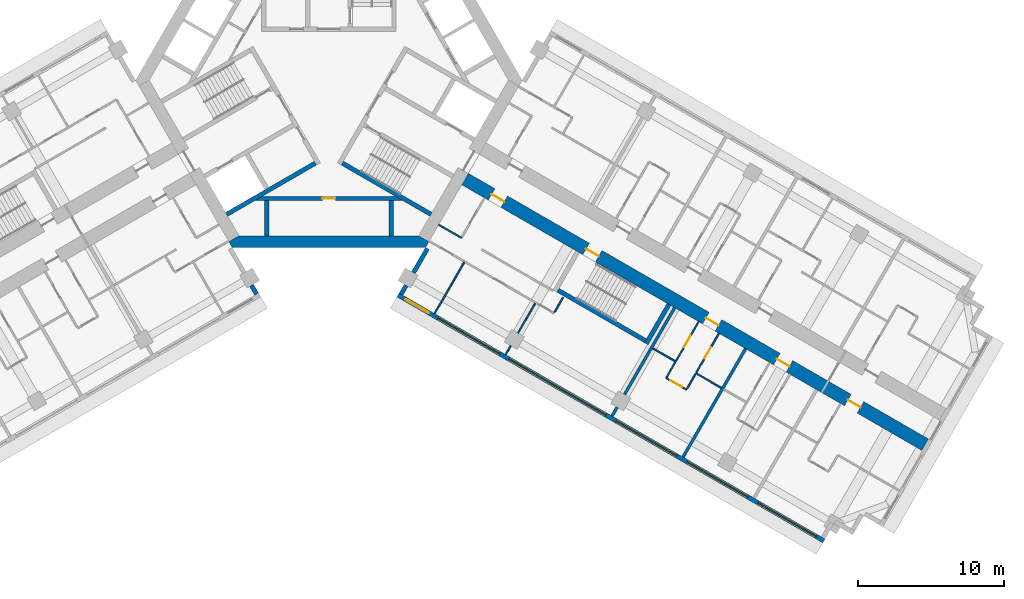
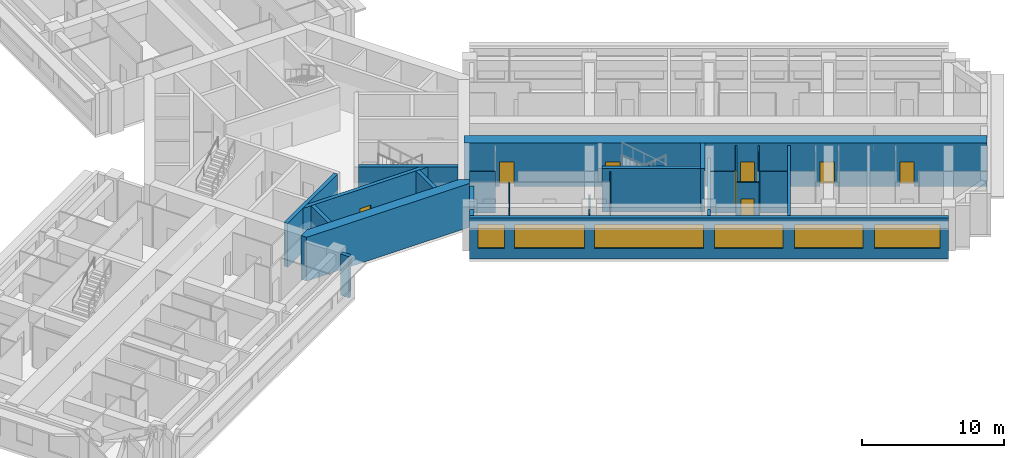
# One storey, part 5 of 13: 28 walls, 9 doors, 6 windows, 15 openings.
"""IFC4 building model written with IfcOpenShell, lengths in metres."""

from ifc_helpers import new_model, si_unit, direction, frame, frame_2d, origin, place, context, subcontext, project, spatial, polyline, rectangle, outline, extrude, material, layer, layer_set, type_object, element, fill, save


model = new_model("IFC4")

# Units and contexts
model_context = context("Model", 3, precision=1e-05, world=origin(), true_north=direction((0.0, 1.0)))
body_context = subcontext(model_context, "Body", "Model", "MODEL_VIEW")
ifc_project = project(units=[si_unit("LENGTHUNIT", "METRE"), si_unit("AREAUNIT", "SQUARE_METRE"), si_unit("VOLUMEUNIT", "CUBIC_METRE"), si_unit("PLANEANGLEUNIT", "RADIAN"), si_unit("MASSUNIT", "GRAM", prefix="KILO")], contexts=[model_context])

# Site, building, storey
site_placement = place(None, origin())
site = spatial("IfcSite", under=ifc_project, at=site_placement, CompositionType="ELEMENT")
building_placement = place(site_placement, origin())
building = spatial("IfcBuilding", under=site, at=building_placement, Name="Impinga Residences", CompositionType="ELEMENT")
storey_placement = place(building_placement, frame((0.0, 0.0, 136.0)))
storey = spatial("IfcBuildingStorey", under=building, at=storey_placement, Name="L33", CompositionType="ELEMENT", Elevation=136.0)

# Wall, openings, doors
ifc_material_1 = material(Name="Concrete C60/75", Category="concrete")
ifc_layer_1 = layer(ifc_material_1, 0.89990234375)
ifc_layer_set_1 = layer_set([ifc_layer_1], Name="Concrete C60/75")
wall_type_1 = type_object("IfcWallType", Name="BW2 corridor buttress wall, L24 to L44 900", PredefinedType="SHEAR", material=ifc_layer_set_1)
wall_1_placement = place(storey_placement, frame((8.95361328125, -6.554931640625, 0.0), z_axis=(0.0, 0.0, 1.0), x_axis=(0.866024733898, -0.500001160275, 0.0)))
wall_1 = element("IfcWall", 1, at=wall_1_placement, inside=storey, type_object=wall_type_1, Name="Corridor wall BW2 ED L33", PredefinedType="SHEAR", context=body_context, shape_type="SweptSolid", body=[
    extrude(rectangle(XDim=36.7001953125, YDim=0.89990234375, at=frame_2d((18.35009765625, 0.0))), origin(), (0.0, 0.0, 1.0), 3.75),
])
opening_1_placement = place(wall_1_placement, frame((9.949951171875, 0.0, 0.0)))
opening_1 = element("IfcOpeningElement", 2, at=opening_1_placement, cuts=wall_1, Name="Opening D5", PredefinedType="OPENING", context=body_context, shape_type="SweptSolid", body=[
    extrude(rectangle(XDim=1.0, YDim=2.10009765625, at=frame_2d((0.5, 1.050048828125))), frame((0.0, 0.4599609375, 0.0), z_axis=(0.0, -1.0, 0.0), x_axis=(1.0, 0.0, 0.0)), (0.0, 0.0, 1.0), 0.919921875),
])
opening_2_placement = place(wall_1_placement, frame((2.5, 0.0, 0.0)))
opening_2 = element("IfcOpeningElement", 3, at=opening_2_placement, cuts=wall_1, Name="Opening D1", PredefinedType="OPENING", context=body_context, shape_type="SweptSolid", body=[
    extrude(rectangle(XDim=1.0, YDim=2.10009765625, at=frame_2d((0.5, 1.050048828125))), frame((0.0, 0.4599609375, 0.0), z_axis=(0.0, -1.0, 0.0), x_axis=(1.0, 0.0, 0.0)), (0.0, 0.0, 1.0), 0.919921875),
])
opening_3_placement = place(wall_1_placement, frame((19.39990234375, 0.0, 0.0)))
opening_3 = element("IfcOpeningElement", 4, at=opening_3_placement, cuts=wall_1, Name="Opening D1", PredefinedType="OPENING", context=body_context, shape_type="SweptSolid", body=[
    extrude(rectangle(XDim=1.0, YDim=2.10009765625, at=frame_2d((0.5, 1.050048828125))), frame((0.0, 0.4599609375, 0.0), z_axis=(0.0, -1.0, 0.0), x_axis=(1.0, 0.0, 0.0)), (0.0, 0.0, 1.0), 0.919921875),
])
opening_4_placement = place(wall_1_placement, frame((25.0, 0.0, 0.0)))
opening_4 = element("IfcOpeningElement", 5, at=opening_4_placement, cuts=wall_1, Name="Opening D1", PredefinedType="OPENING", context=body_context, shape_type="SweptSolid", body=[
    extrude(rectangle(XDim=1.0, YDim=2.10009765625, at=frame_2d((0.5, 1.050048828125))), frame((0.0, 0.4599609375, 0.0), z_axis=(0.0, -1.0, 0.0), x_axis=(1.0, 0.0, 0.0)), (0.0, 0.0, 1.0), 0.919921875),
])
opening_5_placement = place(wall_1_placement, frame((30.60009765625, 0.0, 0.0)))
opening_5 = element("IfcOpeningElement", 6, at=opening_5_placement, cuts=wall_1, Name="Opening D1", PredefinedType="OPENING", context=body_context, shape_type="SweptSolid", body=[
    extrude(rectangle(XDim=1.0, YDim=2.10009765625, at=frame_2d((0.5, 1.050048828125))), frame((0.0, 0.4599609375, 0.0), z_axis=(0.0, -1.0, 0.0), x_axis=(1.0, 0.0, 0.0)), (0.0, 0.0, 1.0), 0.919921875),
])
ifc_material_2 = material(Name="Timber door set", Category="wood")
door_type_1 = type_object("IfcDoorType", Name="D1 apartment entrance door 1000x2100", OperationType="SINGLE_SWING_LEFT", PredefinedType="DOOR", material=ifc_material_2)
door_1_placement = place(opening_2_placement, origin())
door_1 = element("IfcDoor", 7, at=door_1_placement, inside=storey, type_object=door_type_1, Name="Apartment L33-EF1 entrance", OperationType="SINGLE_SWING_LEFT", OverallHeight=2.10009765625, OverallWidth=1.0, PredefinedType="DOOR", context=body_context, shape_type="SweptSolid", body=[
    extrude(rectangle(XDim=1.0, YDim=2.10009765625, at=frame_2d((0.5, 1.050048828125))), frame((0.0, 0.02490234375, 0.0), z_axis=(0.0, -1.0, 0.0), x_axis=(1.0, 0.0, 0.0)), (0.0, 0.0, 1.0), 0.050048828125),
])
fill(opening_2, door_1)
door_2_placement = place(opening_3_placement, origin())
door_2 = element("IfcDoor", 8, at=door_2_placement, inside=storey, type_object=door_type_1, Name="Apartment L33-EF2 entrance", OperationType="SINGLE_SWING_RIGHT", OverallHeight=2.10009765625, OverallWidth=1.0, PredefinedType="DOOR", context=body_context, shape_type="SweptSolid", body=[
    extrude(rectangle(XDim=1.0, YDim=2.10009765625, at=frame_2d((0.5, 1.050048828125))), frame((0.0, 0.02490234375, 0.0), z_axis=(0.0, -1.0, 0.0), x_axis=(1.0, 0.0, 0.0)), (0.0, 0.0, 1.0), 0.050048828125),
])
fill(opening_3, door_2)
door_3_placement = place(opening_4_placement, origin())
door_3 = element("IfcDoor", 9, at=door_3_placement, inside=storey, type_object=door_type_1, Name="Apartment L33-EF3 entrance", OperationType="SINGLE_SWING_RIGHT", OverallHeight=2.10009765625, OverallWidth=1.0, PredefinedType="DOOR", context=body_context, shape_type="SweptSolid", body=[
    extrude(rectangle(XDim=1.0, YDim=2.10009765625, at=frame_2d((0.5, 1.050048828125))), frame((0.0, 0.02490234375, 0.0), z_axis=(0.0, -1.0, 0.0), x_axis=(1.0, 0.0, 0.0)), (0.0, 0.0, 1.0), 0.050048828125),
])
fill(opening_4, door_3)
door_4_placement = place(opening_5_placement, origin())
door_4 = element("IfcDoor", 10, at=door_4_placement, inside=storey, type_object=door_type_1, Name="Apartment L33-EF4 entrance", OperationType="SINGLE_SWING_RIGHT", OverallHeight=2.10009765625, OverallWidth=1.0, PredefinedType="DOOR", context=body_context, shape_type="SweptSolid", body=[
    extrude(rectangle(XDim=1.0, YDim=2.10009765625, at=frame_2d((0.5, 1.050048828125))), frame((0.0, 0.02490234375, 0.0), z_axis=(0.0, -1.0, 0.0), x_axis=(1.0, 0.0, 0.0)), (0.0, 0.0, 1.0), 0.050048828125),
])
fill(opening_5, door_4)
door_type_2 = type_object("IfcDoorType", Name="D5 stair door 1000x2100", OperationType="SINGLE_SWING_LEFT", PredefinedType="DOOR", material=ifc_material_2)
door_5_placement = place(opening_1_placement, origin())
door_5 = element("IfcDoor", 11, at=door_5_placement, inside=storey, type_object=door_type_2, Name="Wing stair door E", OperationType="SINGLE_SWING_LEFT", OverallHeight=2.10009765625, OverallWidth=1.0, PredefinedType="DOOR", context=body_context, shape_type="SweptSolid", body=[
    extrude(rectangle(XDim=1.0, YDim=2.10009765625, at=frame_2d((0.5, 1.050048828125))), frame((0.0, 0.02490234375, 0.0), z_axis=(0.0, -1.0, 0.0), x_axis=(1.0, 0.0, 0.0)), (0.0, 0.0, 1.0), 0.050048828125),
])
fill(opening_1, door_5)

# Wall, openings, windows
ifc_material_3 = material(Name="Terracotta rainscreen on blockwork", Category="masonry")
ifc_layer_2 = layer(ifc_material_3, 0.300048828125)
ifc_layer_set_2 = layer_set([ifc_layer_2], Name="EW1 external wall, terracotta rainscreen on blockwork 300")
wall_type_2 = type_object("IfcWallType", Name="EW1 external wall, terracotta rainscreen on blockwork 300", PredefinedType="SOLIDWALL", material=ifc_layer_set_2)
wall_2_placement = place(storey_placement, frame((33.823486328125, -31.479248046875, 0.0), z_axis=(0.0, 0.0, 1.0), x_axis=(-0.866024291668, 0.500001926238, 0.0)))
wall_2 = element("IfcWall", 12, at=wall_2_placement, inside=storey, type_object=wall_type_2, Name="External wall EW1 L33", PredefinedType="SOLIDWALL", context=body_context, shape_type="SweptSolid", body=[
    extrude(rectangle(XDim=33.599853515625, YDim=0.300048828125, at=frame_2d((16.7998046875, 0.0))), origin(), (0.0, 0.0, 1.0), 3.530029296875),
])
opening_6_placement = place(wall_2_placement, frame((0.60009765625, 0.0, 0.89990234375)))
opening_6 = element("IfcOpeningElement", 13, at=opening_6_placement, cuts=wall_2, Name="Opening W3", PredefinedType="OPENING", context=body_context, shape_type="SweptSolid", body=[
    extrude(rectangle(XDim=4.60009765625, YDim=2.050048828125, at=frame_2d((2.300048828125, 1.02490234375))), frame((0.0, 0.159912109375, 0.0), z_axis=(0.0, -1.0, 0.0), x_axis=(1.0, 0.0, 0.0)), (0.0, 0.0, 1.0), 0.320068359375),
])
opening_7_placement = place(wall_2_placement, frame((6.0, 0.0, 0.89990234375)))
opening_7 = element("IfcOpeningElement", 14, at=opening_7_placement, cuts=wall_2, Name="Opening W8", PredefinedType="OPENING", context=body_context, shape_type="SweptSolid", body=[
    extrude(rectangle(XDim=4.800048828125, YDim=2.050048828125, at=frame_2d((2.39990234375, 1.02490234375))), frame((0.0, 0.159912109375, 0.0), z_axis=(0.0, -1.0, 0.0), x_axis=(1.0, 0.0, 0.0)), (0.0, 0.0, 1.0), 0.320068359375),
])
opening_8_placement = place(wall_2_placement, frame((11.60009765625, 0.0, 0.89990234375)))
opening_8 = element("IfcOpeningElement", 15, at=opening_8_placement, cuts=wall_2, Name="Opening W8", PredefinedType="OPENING", context=body_context, shape_type="SweptSolid", body=[
    extrude(rectangle(XDim=4.800048828125, YDim=2.050048828125, at=frame_2d((2.39990234375, 1.02490234375))), frame((0.0, 0.159912109375, 0.0), z_axis=(0.0, -1.0, 0.0), x_axis=(1.0, 0.0, 0.0)), (0.0, 0.0, 1.0), 0.320068359375),
])
opening_9_placement = place(wall_2_placement, frame((17.199951171875, 0.0, 0.89990234375)))
opening_9 = element("IfcOpeningElement", 16, at=opening_9_placement, cuts=wall_2, Name="Opening W13", PredefinedType="OPENING", context=body_context, shape_type="SweptSolid", body=[
    extrude(rectangle(XDim=7.64990234375, YDim=2.050048828125, at=frame_2d((3.824951171875, 1.02490234375))), frame((0.0, 0.159912109375, 0.0), z_axis=(0.0, -1.0, 0.0), x_axis=(1.0, 0.0, 0.0)), (0.0, 0.0, 1.0), 0.320068359375),
])
opening_10_placement = place(wall_2_placement, frame((25.550048828125, 0.0, 0.89990234375)))
opening_10 = element("IfcOpeningElement", 17, at=opening_10_placement, cuts=wall_2, Name="Opening W16", PredefinedType="OPENING", context=body_context, shape_type="SweptSolid", body=[
    extrude(rectangle(XDim=4.89990234375, YDim=2.050048828125, at=frame_2d((2.449951171875, 1.02490234375))), frame((0.0, 0.159912109375, 0.0), z_axis=(0.0, -1.0, 0.0), x_axis=(1.0, 0.0, 0.0)), (0.0, 0.0, 1.0), 0.320068359375),
])
opening_11_placement = place(wall_2_placement, frame((31.14990234375, 0.0, 0.89990234375)))
opening_11 = element("IfcOpeningElement", 18, at=opening_11_placement, cuts=wall_2, Name="Opening W15", PredefinedType="OPENING", context=body_context, shape_type="SweptSolid", body=[
    extrude(rectangle(XDim=1.85009765625, YDim=2.050048828125, at=frame_2d((0.925048828125, 1.02490234375))), frame((0.0, 0.159912109375, 0.0), z_axis=(0.0, -1.0, 0.0), x_axis=(1.0, 0.0, 0.0)), (0.0, 0.0, 1.0), 0.320068359375),
])
ifc_material_4 = material(Name="Aluminium window, clear double glazing", Category="aluminium")
window_type_1 = type_object("IfcWindowType", Name="W13 ribbon window 7650x2050", PartitioningType="SINGLE_PANEL", PredefinedType="WINDOW", material=ifc_material_4)
window_1_placement = place(opening_9_placement, origin())
window_1 = element("IfcWindow", 19, at=window_1_placement, inside=storey, type_object=window_type_1, Name="Window L33", OverallHeight=2.050048828125, OverallWidth=7.64990234375, PartitioningType="SINGLE_PANEL", PredefinedType="WINDOW", context=body_context, shape_type="SweptSolid", body=[
    extrude(rectangle(XDim=7.64990234375, YDim=2.050048828125, at=frame_2d((3.824951171875, 1.02490234375))), frame((0.0, 0.030029296875, 0.0), z_axis=(0.0, -1.0, 0.0), x_axis=(1.0, 0.0, 0.0)), (0.0, 0.0, 1.0), 0.06005859375),
])
fill(opening_9, window_1)
window_type_2 = type_object("IfcWindowType", Name="W15 ribbon window 1850x2050", PartitioningType="SINGLE_PANEL", PredefinedType="WINDOW", material=ifc_material_4)
window_2_placement = place(opening_11_placement, origin())
window_2 = element("IfcWindow", 20, at=window_2_placement, inside=storey, type_object=window_type_2, Name="Window L33", OverallHeight=2.050048828125, OverallWidth=1.85009765625, PartitioningType="SINGLE_PANEL", PredefinedType="WINDOW", context=body_context, shape_type="SweptSolid", body=[
    extrude(rectangle(XDim=1.85009765625, YDim=2.050048828125, at=frame_2d((0.925048828125, 1.02490234375))), frame((0.0, 0.030029296875, 0.0), z_axis=(0.0, -1.0, 0.0), x_axis=(1.0, 0.0, 0.0)), (0.0, 0.0, 1.0), 0.06005859375),
])
fill(opening_11, window_2)
window_type_3 = type_object("IfcWindowType", Name="W16 ribbon window 4900x2050", PartitioningType="SINGLE_PANEL", PredefinedType="WINDOW", material=ifc_material_4)
window_3_placement = place(opening_10_placement, origin())
window_3 = element("IfcWindow", 21, at=window_3_placement, inside=storey, type_object=window_type_3, Name="Window L33", OverallHeight=2.050048828125, OverallWidth=4.89990234375, PartitioningType="SINGLE_PANEL", PredefinedType="WINDOW", context=body_context, shape_type="SweptSolid", body=[
    extrude(rectangle(XDim=4.89990234375, YDim=2.050048828125, at=frame_2d((2.449951171875, 1.02490234375))), frame((0.0, 0.030029296875, 0.0), z_axis=(0.0, -1.0, 0.0), x_axis=(1.0, 0.0, 0.0)), (0.0, 0.0, 1.0), 0.06005859375),
])
fill(opening_10, window_3)
window_type_4 = type_object("IfcWindowType", Name="W3 ribbon window 4600x2050", PartitioningType="SINGLE_PANEL", PredefinedType="WINDOW", material=ifc_material_4)
window_4_placement = place(opening_6_placement, origin())
window_4 = element("IfcWindow", 22, at=window_4_placement, inside=storey, type_object=window_type_4, Name="Window L33", OverallHeight=2.050048828125, OverallWidth=4.60009765625, PartitioningType="SINGLE_PANEL", PredefinedType="WINDOW", context=body_context, shape_type="SweptSolid", body=[
    extrude(rectangle(XDim=4.60009765625, YDim=2.050048828125, at=frame_2d((2.300048828125, 1.02490234375))), frame((0.0, 0.030029296875, 0.0), z_axis=(0.0, -1.0, 0.0), x_axis=(1.0, 0.0, 0.0)), (0.0, 0.0, 1.0), 0.06005859375),
])
fill(opening_6, window_4)
window_type_5 = type_object("IfcWindowType", Name="W8 ribbon window 4800x2050", PartitioningType="SINGLE_PANEL", PredefinedType="WINDOW", material=ifc_material_4)
window_5_placement = place(opening_7_placement, origin())
window_5 = element("IfcWindow", 23, at=window_5_placement, inside=storey, type_object=window_type_5, Name="Window L33", OverallHeight=2.050048828125, OverallWidth=4.800048828125, PartitioningType="SINGLE_PANEL", PredefinedType="WINDOW", context=body_context, shape_type="SweptSolid", body=[
    extrude(rectangle(XDim=4.800048828125, YDim=2.050048828125, at=frame_2d((2.39990234375, 1.02490234375))), frame((0.0, 0.030029296875, 0.0), z_axis=(0.0, -1.0, 0.0), x_axis=(1.0, 0.0, 0.0)), (0.0, 0.0, 1.0), 0.06005859375),
])
fill(opening_7, window_5)
window_6_placement = place(opening_8_placement, origin())
window_6 = element("IfcWindow", 24, at=window_6_placement, inside=storey, type_object=window_type_5, Name="Window L33", OverallHeight=2.050048828125, OverallWidth=4.800048828125, PartitioningType="SINGLE_PANEL", PredefinedType="WINDOW", context=body_context, shape_type="SweptSolid", body=[
    extrude(rectangle(XDim=4.800048828125, YDim=2.050048828125, at=frame_2d((2.39990234375, 1.02490234375))), frame((0.0, 0.030029296875, 0.0), z_axis=(0.0, -1.0, 0.0), x_axis=(1.0, 0.0, 0.0)), (0.0, 0.0, 1.0), 0.06005859375),
])
fill(opening_8, window_6)

# Walls
wall_3_placement = place(storey_placement, frame((4.929931640625, -14.624267578125, 0.0), z_axis=(0.0, 0.0, 1.0), x_axis=(0.499853302173, 0.866110083249, 0.0)))
element("IfcWall", 25, at=wall_3_placement, inside=storey, type_object=wall_type_2, Name="External wall EW1 L33", PredefinedType="SOLIDWALL", context=body_context, shape_type="SweptSolid", body=[
    extrude(rectangle(XDim=0.699951171875, YDim=0.300048828125, at=frame_2d((0.35009765625, 0.0))), origin(), (0.0, 0.0, 1.0), 3.530029296875),
])
wall_4_placement = place(storey_placement, frame((5.77978515625, -13.152099609375, 0.0), z_axis=(0.0, 0.0, 1.0), x_axis=(0.500063520245, 0.865988727248, 0.0)))
element("IfcWall", 26, at=wall_4_placement, inside=storey, type_object=wall_type_2, Name="External wall EW1 L33", PredefinedType="SOLIDWALL", context=body_context, shape_type="SweptSolid", body=[
    extrude(rectangle(XDim=1.900146484375, YDim=0.300048828125, at=frame_2d((0.9501953125, 0.0))), origin(), (0.0, 0.0, 1.0), 3.530029296875),
])
wall_5_placement = place(storey_placement, frame((-5.27978515625, -14.01806640625, 0.0), z_axis=(0.0, 0.0, 1.0), x_axis=(0.499853302173, -0.866110083249, 0.0)))
element("IfcWall", 27, at=wall_5_placement, inside=storey, type_object=wall_type_2, Name="External wall EW1 L33", PredefinedType="SOLIDWALL", context=body_context, shape_type="SweptSolid", body=[
    extrude(rectangle(XDim=0.699951171875, YDim=0.300048828125, at=frame_2d((0.35009765625, 0.0))), origin(), (0.0, 0.0, 1.0), 3.530029296875),
])
ifc_material_5 = material(Name="Gypsum board on steel studs", Category="steel")
ifc_layer_3 = layer(ifc_material_5, 0.10009765625)
ifc_layer_set_3 = layer_set([ifc_layer_3], Name="Gypsum board on steel studs")
wall_type_3 = type_object("IfcWallType", Name="IP1 partition 100", PredefinedType="PARTITIONING", material=ifc_layer_set_3)
wall_6_placement = place(storey_placement, frame((7.5, -9.872802734375, 0.0), z_axis=(0.0, 0.0, 1.0), x_axis=(0.866047807691, -0.499961193289, 0.0)))
element("IfcWall", 28, at=wall_6_placement, inside=storey, type_object=wall_type_3, Name="Partition L33-EF1:DIV0", PredefinedType="PARTITIONING", context=body_context, shape_type="SweptSolid", body=[
    extrude(rectangle(XDim=1.800048828125, YDim=0.10009765625, at=frame_2d((0.89990234375, 0.0))), origin(), (0.0, 0.0, 1.0), 3.530029296875),
])
wall_7_placement = place(storey_placement, frame((16.00537109375, -14.841064453125, 0.0), z_axis=(0.0, 0.0, 1.0), x_axis=(-0.50012165622, -0.865955154139, 0.0)))
element("IfcWall", 29, at=wall_7_placement, inside=storey, type_object=wall_type_3, Name="Partition L33-EF1:SE1", PredefinedType="PARTITIONING", context=body_context, shape_type="SweptSolid", body=[
    extrude(rectangle(XDim=1.199951171875, YDim=0.10009765625, at=frame_2d((0.60009765625, 0.0))), origin(), (0.0, 0.0, 1.0), 3.530029296875),
])
wall_8_placement = place(storey_placement, frame((9.249755859375, -12.44189453125, 0.0), z_axis=(0.0, 0.0, 1.0), x_axis=(-0.499990325971, -0.866030989016, 0.0)))
element("IfcWall", 30, at=wall_8_placement, inside=storey, type_object=wall_type_3, Name="Partition L33-EF1:OB1", PredefinedType="PARTITIONING", context=body_context, shape_type="SweptSolid", body=[
    extrude(rectangle(XDim=4.0498046875, YDim=0.10009765625, at=frame_2d((2.02490234375, 0.0))), origin(), (0.0, 0.0, 1.0), 3.530029296875),
])
wall_9_placement = place(storey_placement, frame((14.099609375, -15.241943359375, 0.0), z_axis=(0.0, 0.0, 1.0), x_axis=(-0.500016218704, -0.866016039709, 0.0)))
element("IfcWall", 31, at=wall_9_placement, inside=storey, type_object=wall_type_3, Name="Partition L33-EF1:OB2", PredefinedType="PARTITIONING", context=body_context, shape_type="SweptSolid", body=[
    extrude(rectangle(XDim=2.35009765625, YDim=0.10009765625, at=frame_2d((1.175048828125, 0.0))), origin(), (0.0, 0.0, 1.0), 2.47998046875),
])
wall_10_placement = place(storey_placement, frame((12.424560546875, -18.14306640625, 0.0), z_axis=(0.0, 0.0, 1.0), x_axis=(-0.499853302173, -0.866110083249, 0.0)))
element("IfcWall", 32, at=wall_10_placement, inside=storey, type_object=wall_type_3, Name="Partition L33-EF1:OB2b", PredefinedType="PARTITIONING", context=body_context, shape_type="SweptSolid", body=[
    extrude(rectangle(XDim=0.699951171875, YDim=0.10009765625, at=frame_2d((0.35009765625, 0.0))), origin(), (0.0, 0.0, 1.0), 3.530029296875),
])
wall_11_placement = place(storey_placement, frame((22.1357421875, -18.32275390625, 0.0), z_axis=(0.0, 0.0, 1.0), x_axis=(0.866047807691, -0.499961193289, 0.0)))
element("IfcWall", 33, at=wall_11_placement, inside=storey, type_object=wall_type_3, Name="Partition L33-EF2:DIV0", PredefinedType="PARTITIONING", context=body_context, shape_type="SweptSolid", body=[
    extrude(rectangle(XDim=1.800048828125, YDim=0.10009765625, at=frame_2d((0.89990234375, 0.0))), origin(), (0.0, 0.0, 1.0), 3.530029296875),
])
wall_12_placement = place(storey_placement, frame((25.080322265625, -20.022705078125, 0.0), z_axis=(0.0, 0.0, 1.0), x_axis=(0.866010750942, -0.50002537861, 0.0)))
element("IfcWall", 34, at=wall_12_placement, inside=storey, type_object=wall_type_3, Name="Partition L33-EF2:DIV1", PredefinedType="PARTITIONING", context=body_context, shape_type="SweptSolid", body=[
    extrude(rectangle(XDim=2.0, YDim=0.10009765625, at=frame_2d((1.0, 0.0))), origin(), (0.0, 0.0, 1.0), 3.530029296875),
])

# Wall, opening, door
wall_13_placement = place(storey_placement, frame((23.044677734375, -20.3486328125, 0.0), z_axis=(0.0, 0.0, 1.0), x_axis=(0.866094119867, -0.499880961361, 0.0)))
wall_13 = element("IfcWall", 35, at=wall_13_placement, inside=storey, type_object=wall_type_3, Name="Partition L33-EF2:STRIP", PredefinedType="PARTITIONING", context=body_context, shape_type="SweptSolid", body=[
    extrude(rectangle(XDim=1.60009765625, YDim=0.10009765625, at=frame_2d((0.800048828125, 0.0))), origin(), (0.0, 0.0, 1.0), 3.530029296875),
])
opening_12_placement = place(wall_13_placement, frame((0.35009765625, 0.0, 0.0)))
opening_12 = element("IfcOpeningElement", 36, at=opening_12_placement, cuts=wall_13, Name="Opening D2", PredefinedType="OPENING", context=body_context, shape_type="SweptSolid", body=[
    extrude(rectangle(XDim=0.89990234375, YDim=2.10009765625, at=frame_2d((0.449951171875, 1.050048828125))), frame((0.0, 0.06005859375, 0.0), z_axis=(0.0, -1.0, 0.0), x_axis=(1.0, 0.0, 0.0)), (0.0, 0.0, 1.0), 0.1201171875),
])
door_type_3 = type_object("IfcDoorType", Name="D2 internal door 900x2100", OperationType="SINGLE_SWING_LEFT", PredefinedType="DOOR", material=ifc_material_2)
door_6_placement = place(opening_12_placement, origin())
door_6 = element("IfcDoor", 37, at=door_6_placement, inside=storey, type_object=door_type_3, Name="Apartment L33-EF2 room door", OperationType="SINGLE_SWING_LEFT", OverallHeight=2.10009765625, OverallWidth=0.89990234375, PredefinedType="DOOR", context=body_context, shape_type="SweptSolid", body=[
    extrude(rectangle(XDim=0.89990234375, YDim=2.10009765625, at=frame_2d((0.449951171875, 1.050048828125))), frame((0.0, 0.02490234375, 0.0), z_axis=(0.0, -1.0, 0.0), x_axis=(1.0, 0.0, 0.0)), (0.0, 0.0, 1.0), 0.050048828125),
])
fill(opening_12, door_6)

# Walls
for number, where, z_axis, x_axis, name in (
    (38, (23.669677734375, -19.265869140625, 0.0), (0.0, 0.0, 1.0), (-0.500033551112, -0.866006032174, 0.0), "Partition L33-EF2:SE0"),
    (39, (25.055419921875, -20.06591796875, 0.0), (0.0, 0.0, 1.0), (-0.500033551112, -0.866006032174, 0.0), "Partition L33-EF2:SE1"),
):
    element("IfcWall", number, at=place(storey_placement, frame(where, z_axis=z_axis, x_axis=x_axis)), inside=storey, type_object=wall_type_3, Name=name, PredefinedType="PARTITIONING", context=body_context, shape_type="SweptSolid", body=[
        extrude(rectangle(XDim=1.2001953125, YDim=0.10009765625, at=frame_2d((0.60009765625, 0.0))), origin(), (0.0, 0.0, 1.0), 3.530029296875),
    ])

# Wall, opening, door
wall_14_placement = place(storey_placement, frame((25.269775390625, -16.49462890625, 0.0), z_axis=(0.0, 0.0, 1.0), x_axis=(-0.49999285859, -0.86602952684, 0.0)))
wall_14 = element("IfcWall", 40, at=wall_14_placement, inside=storey, type_object=wall_type_3, Name="Partition L33-EF2:IB1", PredefinedType="PARTITIONING", context=body_context, shape_type="SweptSolid", body=[
    extrude(rectangle(XDim=3.10009765625, YDim=0.10009765625, at=frame_2d((1.550048828125, 0.0))), origin(), (0.0, 0.0, 1.0), 3.530029296875),
])
opening_13_placement = place(wall_14_placement, frame((1.10009765625, 0.0, 0.0)))
opening_13 = element("IfcOpeningElement", 41, at=opening_13_placement, cuts=wall_14, Name="Opening D2", PredefinedType="OPENING", context=body_context, shape_type="SweptSolid", body=[
    extrude(rectangle(XDim=0.89990234375, YDim=2.10009765625, at=frame_2d((0.449951171875, 1.050048828125))), frame((0.0, 0.06005859375, 0.0), z_axis=(0.0, -1.0, 0.0), x_axis=(1.0, 0.0, 0.0)), (0.0, 0.0, 1.0), 0.1201171875),
])
door_7_placement = place(opening_13_placement, origin())
door_7 = element("IfcDoor", 42, at=door_7_placement, inside=storey, type_object=door_type_3, Name="Apartment L33-EF2 bathroom door", OperationType="SINGLE_SWING_LEFT", OverallHeight=2.10009765625, OverallWidth=0.89990234375, PredefinedType="DOOR", context=body_context, shape_type="SweptSolid", body=[
    extrude(rectangle(XDim=0.89990234375, YDim=2.10009765625, at=frame_2d((0.449951171875, 1.050048828125))), frame((0.0, 0.02490234375, 0.0), z_axis=(0.0, -1.0, 0.0), x_axis=(1.0, 0.0, 0.0)), (0.0, 0.0, 1.0), 0.050048828125),
])
fill(opening_13, door_7)

wall_15_placement = place(storey_placement, frame((26.6552734375, -17.294677734375, 0.0), z_axis=(0.0, 0.0, 1.0), x_axis=(-0.49999285859, -0.86602952684, 0.0)))
wall_15 = element("IfcWall", 43, at=wall_15_placement, inside=storey, type_object=wall_type_3, Name="Partition L33-EF2:IB2", PredefinedType="PARTITIONING", context=body_context, shape_type="SweptSolid", body=[
    extrude(rectangle(XDim=3.10009765625, YDim=0.10009765625, at=frame_2d((1.550048828125, 0.0))), origin(), (0.0, 0.0, 1.0), 3.530029296875),
])
opening_14_placement = place(wall_15_placement, frame((1.10009765625, 0.0, 0.0)))
opening_14 = element("IfcOpeningElement", 44, at=opening_14_placement, cuts=wall_15, Name="Opening D2", PredefinedType="OPENING", context=body_context, shape_type="SweptSolid", body=[
    extrude(rectangle(XDim=0.89990234375, YDim=2.10009765625, at=frame_2d((0.449951171875, 1.050048828125))), frame((0.0, 0.06005859375, 0.0), z_axis=(0.0, -1.0, 0.0), x_axis=(1.0, 0.0, 0.0)), (0.0, 0.0, 1.0), 0.1201171875),
])
door_8_placement = place(opening_14_placement, origin())
door_8 = element("IfcDoor", 45, at=door_8_placement, inside=storey, type_object=door_type_3, Name="Apartment L33-EF2 WC door", OperationType="SINGLE_SWING_LEFT", OverallHeight=2.10009765625, OverallWidth=0.89990234375, PredefinedType="DOOR", context=body_context, shape_type="SweptSolid", body=[
    extrude(rectangle(XDim=0.89990234375, YDim=2.10009765625, at=frame_2d((0.449951171875, 1.050048828125))), frame((0.0, 0.02490234375, 0.0), z_axis=(0.0, -1.0, 0.0), x_axis=(1.0, 0.0, 0.0)), (0.0, 0.0, 1.0), 0.050048828125),
])
fill(opening_14, door_8)

# Walls
ifc_material_6 = material(Name="Concrete blockwork", Category="masonry")
ifc_layer_4 = layer(ifc_material_6, 0.199951171875)
ifc_layer_set_4 = layer_set([ifc_layer_4], Name="PW1 party wall between apartments 200")
wall_type_4 = type_object("IfcWallType", Name="PW1 party wall between apartments 200", PredefinedType="SOLIDWALL", material=ifc_layer_set_4)
wall_16_placement = place(storey_placement, frame((23.624267578125, -15.544677734375, 0.0), z_axis=(0.0, 0.0, 1.0), x_axis=(-0.499999086063, -0.866025931445, 0.0)))
element("IfcWall", 46, at=wall_16_placement, inside=storey, type_object=wall_type_4, Name="Party wall between apartments L33-EF1:PARTY", PredefinedType="SOLIDWALL", context=body_context, shape_type="SweptSolid", body=[
    extrude(rectangle(XDim=6.85009765625, YDim=0.199951171875, at=frame_2d((3.425048828125, 0.0))), origin(), (0.0, 0.0, 1.0), 2.47998046875),
])
wall_17_placement = place(storey_placement, frame((19.69921875, -22.343017578125, 0.0), z_axis=(0.0, 0.0, 1.0), x_axis=(-0.500114896893, -0.865959057869, 0.0)))
element("IfcWall", 47, at=wall_17_placement, inside=storey, type_object=wall_type_4, Name="Party wall between apartments L33-EF1:PARTYb", PredefinedType="SOLIDWALL", context=body_context, shape_type="SweptSolid", body=[
    extrude(rectangle(XDim=0.699951171875, YDim=0.199951171875, at=frame_2d((0.35009765625, 0.0))), origin(), (0.0, 0.0, 1.0), 3.530029296875),
])
wall_18_placement = place(storey_placement, frame((28.473876953125, -18.3447265625, 0.0), z_axis=(0.0, 0.0, 1.0), x_axis=(-0.499990227581, -0.86603104582, 0.0)))
element("IfcWall", 48, at=wall_18_placement, inside=storey, type_object=wall_type_4, Name="Party wall between apartments L33-EF2:PARTY", PredefinedType="SOLIDWALL", context=body_context, shape_type="SweptSolid", body=[
    extrude(rectangle(XDim=8.550048828125, YDim=0.199951171875, at=frame_2d((4.27490234375, 0.0))), origin(), (0.0, 0.0, 1.0), 3.530029296875),
])
ifc_layer_5 = layer(ifc_material_1, 0.300048828125)
ifc_layer_set_5 = layer_set([ifc_layer_5], Name="Concrete C60/75")
wall_type_5 = type_object("IfcWallType", Name="SE1 wing stair enclosure wall 300", PredefinedType="SOLIDWALL", material=ifc_layer_set_5)
wall_19_placement = place(storey_placement, frame((23.234619140625, -15.31982421875, 0.0), z_axis=(0.0, 0.0, 1.0), x_axis=(-0.500026960575, -0.86600983753, 0.0)))
element("IfcWall", 49, at=wall_19_placement, inside=storey, type_object=wall_type_5, Name="Stair enclosure wall SE1 E END1 L33", PredefinedType="SOLIDWALL", context=body_context, shape_type="SweptSolid", body=[
    extrude(rectangle(XDim=3.099853515625, YDim=0.300048828125, at=frame_2d((1.5498046875, 0.0))), origin(), (0.0, 0.0, 1.0), 3.75),
])
wall_20_placement = place(storey_placement, frame((15.654052734375, -14.349365234375, 0.0), z_axis=(0.0, 0.0, 1.0), x_axis=(0.866013532718, -0.500020560727, 0.0)))
element("IfcWall", 50, at=wall_20_placement, inside=storey, type_object=wall_type_5, Name="Stair enclosure wall SE1 E OUT L33", PredefinedType="SOLIDWALL", context=body_context, shape_type="SweptSolid", body=[
    extrude(rectangle(XDim=6.900146484375, YDim=0.300048828125, at=frame_2d((3.4501953125, 0.0))), origin(), (0.0, 0.0, 1.0), 3.75),
])
ifc_layer_6 = layer(ifc_material_1, 0.800048828125)
ifc_layer_set_6 = layer_set([ifc_layer_6], Name="Concrete C60/75")
wall_type_6 = type_object("IfcWallType", Name="SW2 core wall 800", PredefinedType="SHEAR", material=ifc_layer_set_6)
wall_21_placement = place(storey_placement, origin())
element("IfcWall", 51, at=wall_21_placement, inside=storey, type_object=wall_type_6, Name="Core wall SW2 N:EXPOSED L33", PredefinedType="SHEAR", context=body_context, shape_type="SweptSolid", body=[
    extrude(outline(polyline([(-6.60009765625, -11.431640625), (6.60009765625, -11.431640625), (6.8310546875, -11.031494140625), (6.13818359375, -10.631591796875), (-6.13818359375, -10.631591796875), (-6.8310546875, -11.031494140625), (-6.60009765625, -11.431640625)])), origin(), (0.0, 0.0, 1.0), 3.75),
])
ifc_material_7 = material(Name="Concrete C70/85", Category="concrete")
ifc_layer_7 = layer(ifc_material_7, 0.300048828125)
ifc_layer_set_7 = layer_set([ifc_layer_7], Name="Concrete C70/85")
wall_type_7 = type_object("IfcWallType", Name="SW5 core inner wall, stairs, shafts and lobbies 300", PredefinedType="SHEAR", material=ifc_layer_set_7)
for number, where, z_axis, x_axis, name in (
    (52, (-0.918701171875, -5.668701171875, 0.0), (0.0, 0.0, 1.0), (-0.866011380966, -0.500024287448, 0.0), "Core wall SW5 W:FF-OUT L33"),
    (53, (0.918701171875, -5.668701171875, 0.0), (0.0, 0.0, 1.0), (0.866011380966, -0.500024287448, 0.0), "Core wall SW5 E:ST-OUT L33"),
):
    element("IfcWall", number, at=place(storey_placement, frame(where, z_axis=z_axis, x_axis=x_axis)), inside=storey, type_object=wall_type_7, Name=name, PredefinedType="SHEAR", context=body_context, shape_type="SweptSolid", body=[
        extrude(rectangle(XDim=7.001708984375, YDim=0.300048828125, at=frame_2d((3.5009765625, 0.0))), origin(), (0.0, 0.0, 1.0), 3.75),
    ])

# Wall, opening, door
wall_22_placement = place(storey_placement, frame((5.09765625, -8.08154296875, 0.0), z_axis=(0.0, 0.0, 1.0), x_axis=(-1.0, 0.0, 0.0)))
wall_22 = element("IfcWall", 54, at=wall_22_placement, inside=storey, type_object=wall_type_7, Name="Core wall SW5 N:BANK-FRONT L33", PredefinedType="SHEAR", context=body_context, shape_type="SweptSolid", body=[
    extrude(rectangle(XDim=10.1953125, YDim=0.300048828125, at=frame_2d((5.09765625, 0.0))), origin(), (0.0, 0.0, 1.0), 3.75),
])
opening_15_placement = place(wall_22_placement, frame((4.647705078125, 0.0, 0.0)))
opening_15 = element("IfcOpeningElement", 55, at=opening_15_placement, cuts=wall_22, Name="Opening D6", PredefinedType="OPENING", context=body_context, shape_type="SweptSolid", body=[
    extrude(rectangle(XDim=0.89990234375, YDim=2.10009765625, at=frame_2d((0.449951171875, 1.050048828125))), frame((0.0, 0.159912109375, 0.0), z_axis=(0.0, -1.0, 0.0), x_axis=(1.0, 0.0, 0.0)), (0.0, 0.0, 1.0), 0.320068359375),
])
door_type_4 = type_object("IfcDoorType", Name="D6 riser and store door 900x2100", OperationType="SINGLE_SWING_LEFT", PredefinedType="DOOR", material=ifc_material_2)
door_9_placement = place(opening_15_placement, origin())
door_9 = element("IfcDoor", 56, at=door_9_placement, inside=storey, type_object=door_type_4, Name="IT and communications room door", OperationType="SINGLE_SWING_LEFT", OverallHeight=2.10009765625, OverallWidth=0.89990234375, PredefinedType="DOOR", context=body_context, shape_type="SweptSolid", body=[
    extrude(rectangle(XDim=0.89990234375, YDim=2.10009765625, at=frame_2d((0.449951171875, 1.050048828125))), frame((0.0, 0.02490234375, 0.0), z_axis=(0.0, -1.0, 0.0), x_axis=(1.0, 0.0, 0.0)), (0.0, 0.0, 1.0), 0.050048828125),
])
fill(opening_15, door_9)

# Walls
for number, where, z_axis, x_axis, name in (
    (57, (4.25, -8.2314453125, 0.0), (0.0, 0.0, 1.0), (0.0, -1.0, 0.0), "Core wall SW5 N:BANK-L L33"),
    (58, (-4.25, -8.2314453125, 0.0), (0.0, 0.0, 1.0), (0.0, -1.0, 0.0), "Core wall SW5 N:BANK-R L33"),
):
    element("IfcWall", number, at=place(storey_placement, frame(where, z_axis=z_axis, x_axis=x_axis)), inside=storey, type_object=wall_type_7, Name=name, PredefinedType="SHEAR", context=body_context, shape_type="SweptSolid", body=[
        extrude(rectangle(XDim=2.400146484375, YDim=0.300048828125, at=frame_2d((1.2001953125, 0.0))), origin(), (0.0, 0.0, 1.0), 3.75),
    ])

save(model, "model.ifc")
